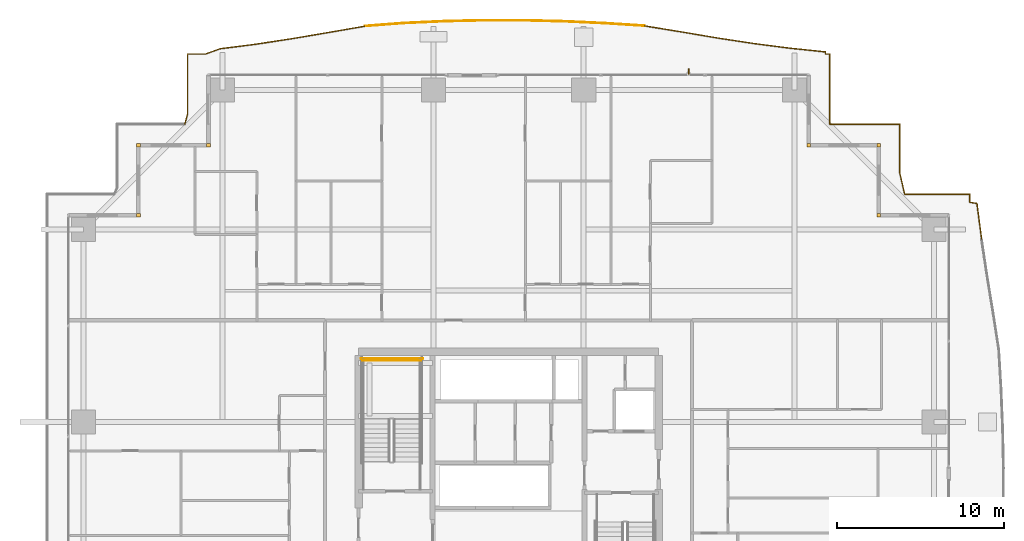
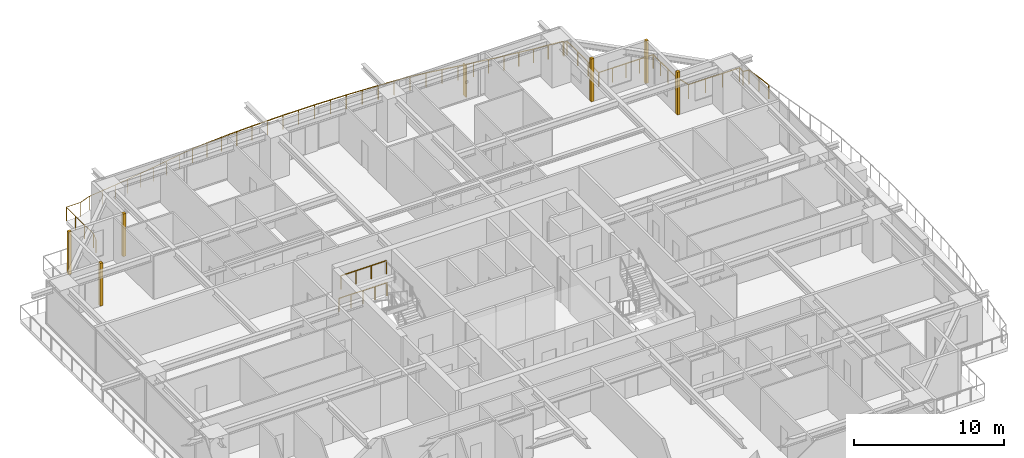
# One storey, part 39 of 39: 6 coverings, 6 railings, 1 shading device.
"""IFC4 building model written with IfcOpenShell, lengths in metres."""

from ifc_helpers import new_model, si_unit, direction, frame, origin, origin_2d, place, context, subcontext, project, spatial, rectangle, circle, extrude, source, transform, mapped, material, layer, layer_set, type_object, element, save


model = new_model("IFC4")

# Units and contexts
model_context = context("Model", 3, precision=1e-05, world=origin(), true_north=direction((0.0, 1.0)))
body_context = subcontext(model_context, "Body", "Model", "MODEL_VIEW")
ifc_project = project(units=[si_unit("LENGTHUNIT", "METRE"), si_unit("AREAUNIT", "SQUARE_METRE"), si_unit("VOLUMEUNIT", "CUBIC_METRE"), si_unit("PLANEANGLEUNIT", "RADIAN"), si_unit("MASSUNIT", "GRAM", prefix="KILO")], contexts=[model_context])

# Site, building, storey
site_placement = place(None, origin())
site = spatial("IfcSite", under=ifc_project, at=site_placement, CompositionType="ELEMENT")
building_placement = place(site_placement, origin())
building = spatial("IfcBuilding", under=site, at=building_placement, Name="Serunith Strait Residences", CompositionType="ELEMENT")
storey_placement = place(building_placement, frame((0.0, 0.0, 97.949951171875)))
storey = spatial("IfcBuildingStorey", under=building, at=storey_placement, Name="L24", CompositionType="ELEMENT", Elevation=97.949951171875)

# Railings
ifc_material_1 = material(Name="Stainless Steel & Laminated Glass Balustrade", Category="steel")
railing_type_1 = type_object("IfcRailingType", Name="RLG-BALC-1150", PredefinedType="BALUSTRADE", material=ifc_material_1)
railing_1_placement = place(storey_placement, frame((12.982666015625, 47.260009765625, -0.050048828125)))
element("IfcRailing", 1, at=railing_1_placement, inside=storey, type_object=railing_type_1, Name="L24 Swirling Balcony Perimeter Balustrade 1", PredefinedType="BALUSTRADE", context=body_context, shape_type="SweptSolid", body=[
    extrude(circle(Radius=0.02392578125, at=origin_2d()), frame((0.00048828125, 0.001953125, 1.1259765625), z_axis=(0.255195424088, 0.966889494991, 0.0), x_axis=(-0.966889494991, 0.255195424088, 0.0)), (0.0, 0.0, 1.0), 0.612060546875),
    extrude(circle(Radius=0.02392578125, at=origin_2d()), frame((0.1572265625, 0.59765625, 1.1259765625), z_axis=(0.0, 1.0, 0.0), x_axis=(-1.0, 0.0, 0.0)), (0.0, 0.0, 1.0), 3.600341796875),
    extrude(circle(Radius=0.02392578125, at=origin_2d()), frame((0.1591796875, 4.199951171875, 1.1259765625), z_axis=(1.0, 0.0, 0.0), x_axis=(0.0, 1.0, 0.0)), (0.0, 0.0, 1.0), 1.06201171875),
    extrude(circle(Radius=0.02392578125, at=origin_2d()), frame((1.22509765625, 4.20068359375, 1.1259765625), z_axis=(0.941027617389, 0.338329755286, 0.0), x_axis=(-0.338329755286, 0.941027617389, 0.0)), (0.0, 0.0, 1.0), 0.949951171875),
    extrude(circle(Radius=0.02392578125, at=origin_2d()), frame((2.122802734375, 4.52294921875, 1.1259765625), z_axis=(0.991960744774, 0.126545963303, 0.0), x_axis=(-0.126545963303, 0.991960744774, 0.0)), (0.0, 0.0, 1.0), 2.137451171875),
    extrude(circle(Radius=0.02392578125, at=origin_2d()), frame((4.2470703125, 4.7939453125, 1.1259765625), z_axis=(0.988658841568, 0.15017887664, 0.0), x_axis=(-0.15017887664, 0.988658841568, 0.0)), (0.0, 0.0, 1.0), 2.16455078125),
    extrude(circle(Radius=0.02392578125, at=origin_2d()), frame((6.39111328125, 5.11962890625, 1.1259765625), z_axis=(0.985888625131, 0.167402565207, 0.0), x_axis=(-0.167402565207, 0.985888625131, 0.0)), (0.0, 0.0, 1.0), 2.2099609375),
    extrude(circle(Radius=0.02392578125, at=origin_2d()), frame((8.57373046875, 5.490234375, 1.1259765625), z_axis=(0.985226723749, 0.171255081123, 0.0), x_axis=(-0.171255081123, 0.985226723749, 0.0)), (0.0, 0.0, 1.0), 2.269775390625),
    extrude(circle(Radius=0.02099609375, at=origin_2d()), origin(), (0.0, 0.0, 1.0), 1.099853515625),
    extrude(circle(Radius=0.02099609375, at=origin_2d()), frame((0.1572265625, 0.595703125, 0.0)), (0.0, 0.0, 1.0), 1.099853515625),
    extrude(circle(Radius=0.02099609375, at=origin_2d()), frame((0.1572265625, 1.797119140625, 0.0)), (0.0, 0.0, 1.0), 1.099853515625),
    extrude(circle(Radius=0.02099609375, at=origin_2d()), frame((0.1572265625, 2.99853515625, 0.0)), (0.0, 0.0, 1.0), 1.099853515625),
    extrude(circle(Radius=0.02099609375, at=origin_2d()), frame((0.1572265625, 4.199951171875, 0.0)), (0.0, 0.0, 1.0), 1.099853515625),
    extrude(circle(Radius=0.02099609375, at=origin_2d()), frame((1.22314453125, 4.199951171875, 0.0)), (0.0, 0.0, 1.0), 1.099853515625),
    extrude(circle(Radius=0.02099609375, at=origin_2d()), frame((2.120849609375, 4.522705078125, 0.0)), (0.0, 0.0, 1.0), 1.099853515625),
    extrude(circle(Radius=0.02099609375, at=origin_2d()), frame((3.18310546875, 4.658203125, 0.0)), (0.0, 0.0, 1.0), 1.099853515625),
    extrude(circle(Radius=0.02099609375, at=origin_2d()), frame((4.2451171875, 4.793701171875, 0.0)), (0.0, 0.0, 1.0), 1.099853515625),
    extrude(circle(Radius=0.02099609375, at=origin_2d()), frame((5.317138671875, 4.95654296875, 0.0)), (0.0, 0.0, 1.0), 1.099853515625),
    extrude(circle(Radius=0.02099609375, at=origin_2d()), frame((6.38916015625, 5.119384765625, 0.0)), (0.0, 0.0, 1.0), 1.099853515625),
    extrude(circle(Radius=0.02099609375, at=origin_2d()), frame((7.48046875, 5.3046875, 0.0)), (0.0, 0.0, 1.0), 1.099853515625),
    extrude(circle(Radius=0.02099609375, at=origin_2d()), frame((8.57177734375, 5.489990234375, 0.0)), (0.0, 0.0, 1.0), 1.099853515625),
    extrude(circle(Radius=0.02099609375, at=origin_2d()), frame((9.69189453125, 5.6845703125, 0.0)), (0.0, 0.0, 1.0), 1.099853515625),
    extrude(circle(Radius=0.02099609375, at=origin_2d()), frame((10.81201171875, 5.87939453125, 0.0)), (0.0, 0.0, 1.0), 1.099853515625),
])
railing_2_placement = place(storey_placement, frame((23.794677734375, 53.139404296875, -0.050048828125)))
element("IfcRailing", 2, at=railing_2_placement, inside=storey, type_object=railing_type_1, Name="L24 Swirling Balcony Perimeter Balustrade 2", PredefinedType="BALUSTRADE", context=body_context, shape_type="SweptSolid", body=[
    extrude(circle(Radius=0.02392578125, at=origin_2d()), frame((0.001953125, 0.000244140625, 1.1259765625), z_axis=(0.99716177707, 0.075288713307, 0.0), x_axis=(-0.075288713307, 0.99716177707, 0.0)), (0.0, 0.0, 1.0), 2.356689453125),
    extrude(circle(Radius=0.02392578125, at=origin_2d()), frame((2.35595703125, 0.177734375, 1.1259765625), z_axis=(0.998971688854, 0.04533833774, 0.0), x_axis=(-0.04533833774, 0.998971688854, 0.0)), (0.0, 0.0, 1.0), 2.392333984375),
    extrude(circle(Radius=0.02392578125, at=origin_2d()), frame((4.749755859375, 0.286376953125, 1.1259765625), z_axis=(0.999741470218, 0.022737474052, 0.0), x_axis=(-0.022737474052, 0.999741470218, 0.0)), (0.0, 0.0, 1.0), 2.411865234375),
    extrude(circle(Radius=0.02392578125, at=origin_2d()), frame((7.1650390625, 0.34130859375, 1.1259765625), z_axis=(0.999998857475, -0.001511637898, 0.0), x_axis=(0.001511637898, 0.999998857475, 0.0)), (0.0, 0.0, 1.0), 2.418701171875),
    extrude(circle(Radius=0.02392578125, at=origin_2d()), frame((9.587646484375, 0.337646484375, 1.1259765625), z_axis=(0.999685876462, -0.025062888937, 0.0), x_axis=(0.025062888937, 0.999685876462, 0.0)), (0.0, 0.0, 1.0), 2.411865234375),
    extrude(circle(Radius=0.02392578125, at=origin_2d()), frame((12.002685546875, 0.277099609375, 1.1259765625), z_axis=(0.998925466371, -0.046345578383, 0.0), x_axis=(0.046345578383, 0.998925466371, 0.0)), (0.0, 0.0, 1.0), 2.392822265625),
    extrude(circle(Radius=0.02392578125, at=origin_2d()), frame((14.39697265625, 0.165771484375, 1.1259765625), z_axis=(0.997955535833, -0.063912037209, 0.0), x_axis=(0.063912037209, 0.997955535833, 0.0)), (0.0, 0.0, 1.0), 2.3642578125),
    extrude(circle(Radius=0.02099609375, at=origin_2d()), origin(), (0.0, 0.0, 1.0), 1.099853515625),
    extrude(circle(Radius=0.02099609375, at=origin_2d()), frame((1.177001953125, 0.0888671875, 0.0)), (0.0, 0.0, 1.0), 1.099853515625),
    extrude(circle(Radius=0.02099609375, at=origin_2d()), frame((2.35400390625, 0.177734375, 0.0)), (0.0, 0.0, 1.0), 1.099853515625),
    extrude(circle(Radius=0.02099609375, at=origin_2d()), frame((3.55078125, 0.23193359375, 0.0)), (0.0, 0.0, 1.0), 1.099853515625),
    extrude(circle(Radius=0.02099609375, at=origin_2d()), frame((4.747802734375, 0.286376953125, 0.0)), (0.0, 0.0, 1.0), 1.099853515625),
    extrude(circle(Radius=0.02099609375, at=origin_2d()), frame((5.95556640625, 0.31396484375, 0.0)), (0.0, 0.0, 1.0), 1.099853515625),
    extrude(circle(Radius=0.02099609375, at=origin_2d()), frame((7.1630859375, 0.34130859375, 0.0)), (0.0, 0.0, 1.0), 1.099853515625),
    extrude(circle(Radius=0.02099609375, at=origin_2d()), frame((8.37451171875, 0.33935546875, 0.0)), (0.0, 0.0, 1.0), 1.099853515625),
    extrude(circle(Radius=0.02099609375, at=origin_2d()), frame((9.585693359375, 0.337646484375, 0.0)), (0.0, 0.0, 1.0), 1.099853515625),
    extrude(circle(Radius=0.02099609375, at=origin_2d()), frame((10.793212890625, 0.307373046875, 0.0)), (0.0, 0.0, 1.0), 1.099853515625),
    extrude(circle(Radius=0.02099609375, at=origin_2d()), frame((12.000732421875, 0.277099609375, 0.0)), (0.0, 0.0, 1.0), 1.099853515625),
    extrude(circle(Radius=0.02099609375, at=origin_2d()), frame((13.19775390625, 0.2216796875, 0.0)), (0.0, 0.0, 1.0), 1.099853515625),
    extrude(circle(Radius=0.02099609375, at=origin_2d()), frame((14.39501953125, 0.166015625, 0.0)), (0.0, 0.0, 1.0), 1.099853515625),
    extrude(circle(Radius=0.02099609375, at=origin_2d()), frame((15.57666015625, 0.09033203125, 0.0)), (0.0, 0.0, 1.0), 1.099853515625),
    extrude(circle(Radius=0.02099609375, at=origin_2d()), frame((16.758544921875, 0.0146484375, 0.0)), (0.0, 0.0, 1.0), 1.099853515625),
])
railing_3_placement = place(storey_placement, frame((40.55322265625, 53.154052734375, -0.050048828125)))
element("IfcRailing", 3, at=railing_3_placement, inside=storey, type_object=railing_type_1, Name="L24 Swirling Balcony Perimeter Balustrade 3", PredefinedType="BALUSTRADE", context=body_context, shape_type="SweptSolid", body=[
    extrude(circle(Radius=0.02392578125, at=origin_2d()), frame((0.001953125, -0.000244140625, 1.1259765625), z_axis=(0.986871797147, -0.161505591221, 0.0), x_axis=(0.161505591221, 0.986871797147, 0.0)), (0.0, 0.0, 1.0), 2.28173828125),
    extrude(circle(Radius=0.02392578125, at=origin_2d()), frame((2.257568359375, -0.369384765625, 1.1259765625), z_axis=(0.986077461423, -0.166286620249, 0.0), x_axis=(0.166286620249, 0.986077461423, 0.0)), (0.0, 0.0, 1.0), 2.21875),
    extrude(circle(Radius=0.02392578125, at=origin_2d()), frame((4.449462890625, -0.739013671875, 1.1259765625), z_axis=(0.988603962113, -0.150539716005, 0.0), x_axis=(0.150539716005, 0.988603962113, 0.0)), (0.0, 0.0, 1.0), 2.17236328125),
    extrude(circle(Radius=0.02392578125, at=origin_2d()), frame((6.60107421875, -1.066650390625, 1.1259765625), z_axis=(0.991812746987, -0.127700724016, 0.0), x_axis=(0.127700724016, 0.991812746987, 0.0)), (0.0, 0.0, 1.0), 2.14306640625),
    extrude(circle(Radius=0.02392578125, at=origin_2d()), frame((8.73046875, -1.3408203125, 1.1259765625), z_axis=(0.99464197803, -0.10337957023, 0.0), x_axis=(0.10337957023, 0.99464197803, 0.0)), (0.0, 0.0, 1.0), 2.12841796875),
    extrude(circle(Radius=0.02392578125, at=origin_2d()), frame((10.849609375, -1.56298828125, 1.1259765625), z_axis=(-0.005504503762, -0.999984850104, 0.0), x_axis=(0.999984850104, -0.005504503762, 0.0)), (0.0, 0.0, 1.0), 0.129150390625),
    extrude(circle(Radius=0.02392578125, at=origin_2d()), frame((10.850830078125, -1.694091796875, 1.1259765625), z_axis=(1.0, 0.0, 0.0), x_axis=(0.0, 1.0, 0.0)), (0.0, 0.0, 1.0), 0.25390625),
    extrude(circle(Radius=0.02392578125, at=origin_2d()), frame((11.106689453125, -1.696044921875, 1.1259765625), z_axis=(0.0, -1.0, 0.0), x_axis=(1.0, 0.0, 0.0)), (0.0, 0.0, 1.0), 4.196044921875),
    extrude(circle(Radius=0.02099609375, at=origin_2d()), origin(), (0.0, 0.0, 1.0), 1.099853515625),
    extrude(circle(Radius=0.02099609375, at=origin_2d()), frame((1.1279296875, -0.1845703125, 0.0)), (0.0, 0.0, 1.0), 1.099853515625),
    extrude(circle(Radius=0.02099609375, at=origin_2d()), frame((2.255615234375, -0.369140625, 0.0)), (0.0, 0.0, 1.0), 1.099853515625),
    extrude(circle(Radius=0.02099609375, at=origin_2d()), frame((3.3515625, -0.553955078125, 0.0)), (0.0, 0.0, 1.0), 1.099853515625),
    extrude(circle(Radius=0.02099609375, at=origin_2d()), frame((4.447509765625, -0.73876953125, 0.0)), (0.0, 0.0, 1.0), 1.099853515625),
    extrude(circle(Radius=0.02099609375, at=origin_2d()), frame((5.5234375, -0.902587890625, 0.0)), (0.0, 0.0, 1.0), 1.099853515625),
    extrude(circle(Radius=0.02099609375, at=origin_2d()), frame((6.59912109375, -1.06640625, 0.0)), (0.0, 0.0, 1.0), 1.099853515625),
    extrude(circle(Radius=0.02099609375, at=origin_2d()), frame((7.663818359375, -1.20361328125, 0.0)), (0.0, 0.0, 1.0), 1.099853515625),
    extrude(circle(Radius=0.02099609375, at=origin_2d()), frame((8.728515625, -1.340576171875, 0.0)), (0.0, 0.0, 1.0), 1.099853515625),
    extrude(circle(Radius=0.02099609375, at=origin_2d()), frame((9.7890625, -1.45068359375, 0.0)), (0.0, 0.0, 1.0), 1.099853515625),
    extrude(circle(Radius=0.02099609375, at=origin_2d()), frame((10.849609375, -1.56103515625, 0.0)), (0.0, 0.0, 1.0), 1.099853515625),
    extrude(circle(Radius=0.02099609375, at=origin_2d()), frame((10.848876953125, -1.694091796875, 0.0)), (0.0, 0.0, 1.0), 1.099853515625),
    extrude(circle(Radius=0.02099609375, at=origin_2d()), frame((11.106689453125, -1.694091796875, 0.0)), (0.0, 0.0, 1.0), 1.099853515625),
    extrude(circle(Radius=0.02099609375, at=origin_2d()), frame((11.106689453125, -3.093994140625, 0.0)), (0.0, 0.0, 1.0), 1.099853515625),
    extrude(circle(Radius=0.02099609375, at=origin_2d()), frame((11.106689453125, -4.494140625, 0.0)), (0.0, 0.0, 1.0), 1.099853515625),
    extrude(circle(Radius=0.02099609375, at=origin_2d()), frame((11.106689453125, -5.89404296875, 0.0)), (0.0, 0.0, 1.0), 1.099853515625),
])
railing_4_placement = place(storey_placement, frame((51.659912109375, 47.260009765625, -0.050048828125)))
element("IfcRailing", 4, at=railing_4_placement, inside=storey, type_object=railing_type_1, Name="L24 Swirling Balcony Perimeter Balustrade 4", PredefinedType="BALUSTRADE", context=body_context, shape_type="SweptSolid", body=[
    extrude(circle(Radius=0.02392578125, at=origin_2d()), frame((0.001953125, 0.0, 1.1259765625), z_axis=(1.0, 0.0, 0.0), x_axis=(0.0, 1.0, 0.0)), (0.0, 0.0, 1.0), 4.1962890625),
    extrude(circle(Radius=0.02392578125, at=origin_2d()), frame((4.2001953125, -0.001953125, 1.1259765625), z_axis=(0.0, -1.0, 0.0), x_axis=(1.0, 0.0, 0.0)), (0.0, 0.0, 1.0), 2.9384765625),
    extrude(circle(Radius=0.02392578125, at=origin_2d()), frame((4.20068359375, -2.9443359375, 1.1259765625), z_axis=(0.224914767429, -0.974378441568, 0.0), x_axis=(0.974378441568, 0.224914767429, 0.0)), (0.0, 0.0, 1.0), 1.28662109375),
    extrude(circle(Radius=0.02392578125, at=origin_2d()), frame((4.492431640625, -4.199951171875, 1.1259765625), z_axis=(1.0, 0.0, 0.0), x_axis=(0.0, 1.0, 0.0)), (0.0, 0.0, 1.0), 3.90576171875),
    extrude(circle(Radius=0.02392578125, at=origin_2d()), frame((8.400146484375, -4.201904296875, 1.1259765625), z_axis=(0.0, -1.0, 0.0), x_axis=(1.0, 0.0, 0.0)), (0.0, 0.0, 1.0), 0.482666015625),
    extrude(circle(Radius=0.02392578125, at=origin_2d()), frame((8.402099609375, -4.686767578125, 1.1259765625), z_axis=(0.987223862053, -0.15933940565, 0.0), x_axis=(0.15933940565, 0.987223862053, 0.0)), (0.0, 0.0, 1.0), 0.426513671875),
    extrude(circle(Radius=0.02392578125, at=origin_2d()), frame((8.825439453125, -4.757080078125, 1.1259765625), z_axis=(0.128761003517, -0.991675654624, 0.0), x_axis=(0.991675654624, 0.128761003517, 0.0)), (0.0, 0.0, 1.0), 2.144287109375),
    extrude(circle(Radius=0.02099609375, at=origin_2d()), origin(), (0.0, 0.0, 1.0), 1.099853515625),
    extrude(circle(Radius=0.02099609375, at=origin_2d()), frame((1.050048828125, 0.0, 0.0)), (0.0, 0.0, 1.0), 1.099853515625),
    extrude(circle(Radius=0.02099609375, at=origin_2d()), frame((2.10009765625, 0.0, 0.0)), (0.0, 0.0, 1.0), 1.099853515625),
    extrude(circle(Radius=0.02099609375, at=origin_2d()), frame((3.150146484375, 0.0, 0.0)), (0.0, 0.0, 1.0), 1.099853515625),
    extrude(circle(Radius=0.02099609375, at=origin_2d()), frame((4.2001953125, 0.0, 0.0)), (0.0, 0.0, 1.0), 1.099853515625),
    extrude(circle(Radius=0.02099609375, at=origin_2d()), frame((4.2001953125, -0.980712890625, 0.0)), (0.0, 0.0, 1.0), 1.099853515625),
    extrude(circle(Radius=0.02099609375, at=origin_2d()), frame((4.2001953125, -1.961669921875, 0.0)), (0.0, 0.0, 1.0), 1.099853515625),
    extrude(circle(Radius=0.02099609375, at=origin_2d()), frame((4.2001953125, -2.9423828125, 0.0)), (0.0, 0.0, 1.0), 1.099853515625),
    extrude(circle(Radius=0.02099609375, at=origin_2d()), frame((4.490478515625, -4.199951171875, 0.0)), (0.0, 0.0, 1.0), 1.099853515625),
    extrude(circle(Radius=0.02099609375, at=origin_2d()), frame((5.793701171875, -4.199951171875, 0.0)), (0.0, 0.0, 1.0), 1.099853515625),
    extrude(circle(Radius=0.02099609375, at=origin_2d()), frame((7.096923828125, -4.199951171875, 0.0)), (0.0, 0.0, 1.0), 1.099853515625),
    extrude(circle(Radius=0.02099609375, at=origin_2d()), frame((8.400146484375, -4.199951171875, 0.0)), (0.0, 0.0, 1.0), 1.099853515625),
    extrude(circle(Radius=0.02099609375, at=origin_2d()), frame((8.400146484375, -4.6865234375, 0.0)), (0.0, 0.0, 1.0), 1.099853515625),
    extrude(circle(Radius=0.02099609375, at=origin_2d()), frame((8.8251953125, -4.755126953125, 0.0)), (0.0, 0.0, 1.0), 1.099853515625),
    extrude(circle(Radius=0.02099609375, at=origin_2d()), frame((8.96337890625, -5.8203125, 0.0)), (0.0, 0.0, 1.0), 1.099853515625),
    extrude(circle(Radius=0.02099609375, at=origin_2d()), frame((9.101806640625, -6.885498046875, 0.0)), (0.0, 0.0, 1.0), 1.099853515625),
])
ifc_material_2 = material(Name="Brushed stainless steel 316L", Category="steel")
railing_type_2 = type_object("IfcRailingType", Name="RLG-STAIR-GUARD", PredefinedType="BALUSTRADE", material=ifc_material_2)
railing_5_placement = place(storey_placement, frame((27.14990234375, 33.10009765625, 1.875)))
element("IfcRailing", 5, at=railing_5_placement, inside=storey, type_object=railing_type_2, Name="L24 ST-1 stair guard 5", PredefinedType="BALUSTRADE", context=body_context, shape_type="SweptSolid", body=[
    extrude(circle(Radius=0.02392578125, at=origin_2d()), frame((-0.001953125, 0.0, 1.076171875), z_axis=(-1.0, 0.0, 0.0), x_axis=(0.0, -1.0, 0.0)), (0.0, 0.0, 1.0), 3.49609375),
    extrude(circle(Radius=0.02099609375, at=origin_2d()), origin(), (0.0, 0.0, 1.0), 1.050048828125),
    extrude(circle(Radius=0.02099609375, at=origin_2d()), frame((-1.166748046875, 0.0, 0.0)), (0.0, 0.0, 1.0), 1.050048828125),
    extrude(circle(Radius=0.02099609375, at=origin_2d()), frame((-2.333251953125, 0.0, 0.0)), (0.0, 0.0, 1.0), 1.050048828125),
    extrude(circle(Radius=0.02099609375, at=origin_2d()), frame((-3.5, 0.0, 0.0)), (0.0, 0.0, 1.0), 1.050048828125),
])
railing_6_placement = place(storey_placement, frame((27.25, 33.199951171875, 0.0)))
element("IfcRailing", 6, at=railing_6_placement, inside=storey, type_object=railing_type_2, Name="L24 ST-1 stair guard 12", PredefinedType="BALUSTRADE", context=body_context, shape_type="SweptSolid", body=[
    extrude(circle(Radius=0.02392578125, at=origin_2d()), frame((-0.001953125, 0.0, 1.076171875), z_axis=(-1.0, 0.0, 0.0), x_axis=(0.0, -1.0, 0.0)), (0.0, 0.0, 1.0), 3.696044921875),
    extrude(circle(Radius=0.02099609375, at=origin_2d()), origin(), (0.0, 0.0, 1.0), 1.050048828125),
    extrude(circle(Radius=0.02099609375, at=origin_2d()), frame((-0.925048828125, 0.0, 0.0)), (0.0, 0.0, 1.0), 1.050048828125),
    extrude(circle(Radius=0.02099609375, at=origin_2d()), frame((-1.85009765625, 0.0, 0.0)), (0.0, 0.0, 1.0), 1.050048828125),
    extrude(circle(Radius=0.02099609375, at=origin_2d()), frame((-2.77490234375, 0.0, 0.0)), (0.0, 0.0, 1.0), 1.050048828125),
    extrude(circle(Radius=0.02099609375, at=origin_2d()), frame((-3.699951171875, 0.0, 0.0)), (0.0, 0.0, 1.0), 1.050048828125),
])

# Coverings
ifc_material_3 = material(Name="Pale-Champagne Anodised Aluminium", Category="aluminium")
ifc_layer = layer(ifc_material_3, 0.219970703125, Name="Pale-Champagne Anodised Aluminium")
ifc_layer_set = layer_set([ifc_layer], Name="Pale-Champagne Anodised Aluminium")
covering_type = type_object("IfcCoveringType", Name="COV-CORN-TRIM", PredefinedType="CLADDING", material=ifc_layer_set)
shared_shape_1 = source(origin(), body_context, "Body", "SweptSolid", [
    extrude(rectangle(XDim=0.221923828125, YDim=0.221923828125, at=origin_2d()), origin(), (0.0, 0.0, 1.0), 3.47509765625),
])
for number, where, z_axis, x_axis, name in (
    (7, (54.60009765625, 41.800048828125, 0.0), (0.0, 0.0, 1.0), (1.0, 0.0, 0.0), "L24 Girih Serrated Corner Trim Post 07"),
    (8, (54.60009765625, 46.0, 0.0), (0.0, 0.0, 1.0), (1.0, 0.0, 0.0), "L24 Girih Serrated Corner Trim Post 08"),
    (9, (50.39990234375, 46.0, 0.0), (0.0, 0.0, 1.0), (1.0, 0.0, 0.0), "L24 Girih Serrated Corner Trim Post 09"),
    (10, (14.39990234375, 46.0, 0.0), (0.0, 0.0, 1.0), (1.0, 0.0, 0.0), "L24 Girih Serrated Corner Trim Post 12"),
    (11, (10.199951171875, 46.0, 0.0), (0.0, 0.0, 1.0), (1.0, 0.0, 0.0), "L24 Girih Serrated Corner Trim Post 13"),
    (12, (10.199951171875, 41.800048828125, 0.0), (0.0, 0.0, 1.0), (1.0, 0.0, 0.0), "L24 Girih Serrated Corner Trim Post 14"),
):
    element("IfcCovering", number, at=place(storey_placement, frame(where, z_axis=z_axis, x_axis=x_axis)), inside=storey, type_object=covering_type, Name=name, PredefinedType="CLADDING", context=body_context, shape_type="MappedRepresentation", body=[
        mapped(shared_shape_1, transform((0.0, 0.0, 0.0), scale=1.0)),
    ])

# Shading device
ifc_material_4 = material(Name="Pale-Champagne Perforated Aluminium Fin", Category="aluminium")
shading_device_type = type_object("IfcShadingDeviceType", Name="SHD-DIAG-FIN", PredefinedType="AWNING", material=ifc_material_4)
shared_shape_2 = source(origin(), body_context, "Body", "SweptSolid", [
    extrude(rectangle(XDim=0.080078125, YDim=0.35009765625, at=origin_2d()), origin(), (0.0, 0.0, 1.0), 2.60009765625),
])
shading_device_placement = place(storey_placement, frame((43.199951171875, 50.419921875, 0.199951171875), z_axis=(0.0, 0.0, 1.0), x_axis=(1.0, 0.0, 0.0)))
element("IfcShadingDevice", 13, at=shading_device_placement, inside=storey, type_object=shading_device_type, Name="L24 Diagonal Rhythm Solar Fin N", PredefinedType="AWNING", context=body_context, shape_type="MappedRepresentation", body=[
    mapped(shared_shape_2, transform((0.0, 0.0, 0.0), scale=1.0)),
])

save(model, "model.ifc")
